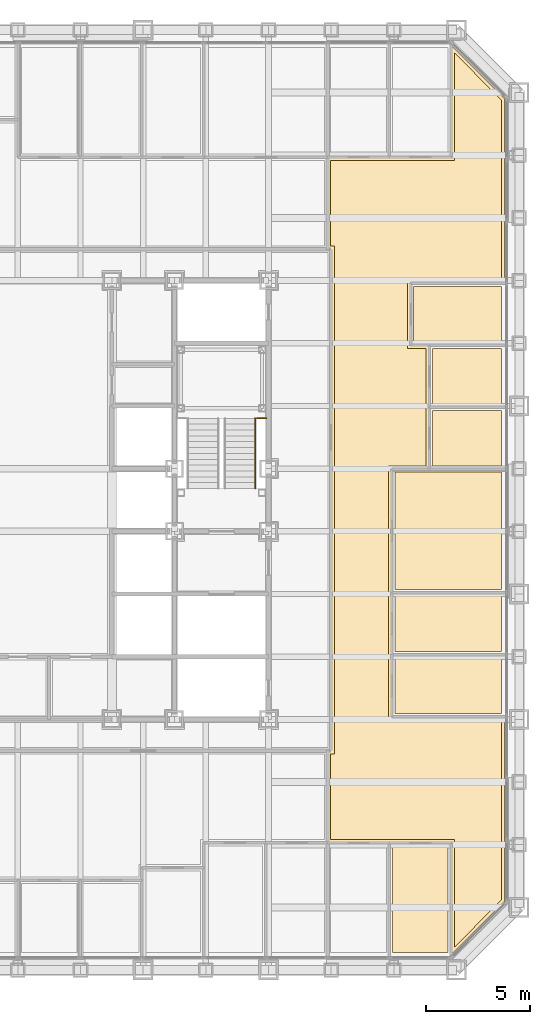
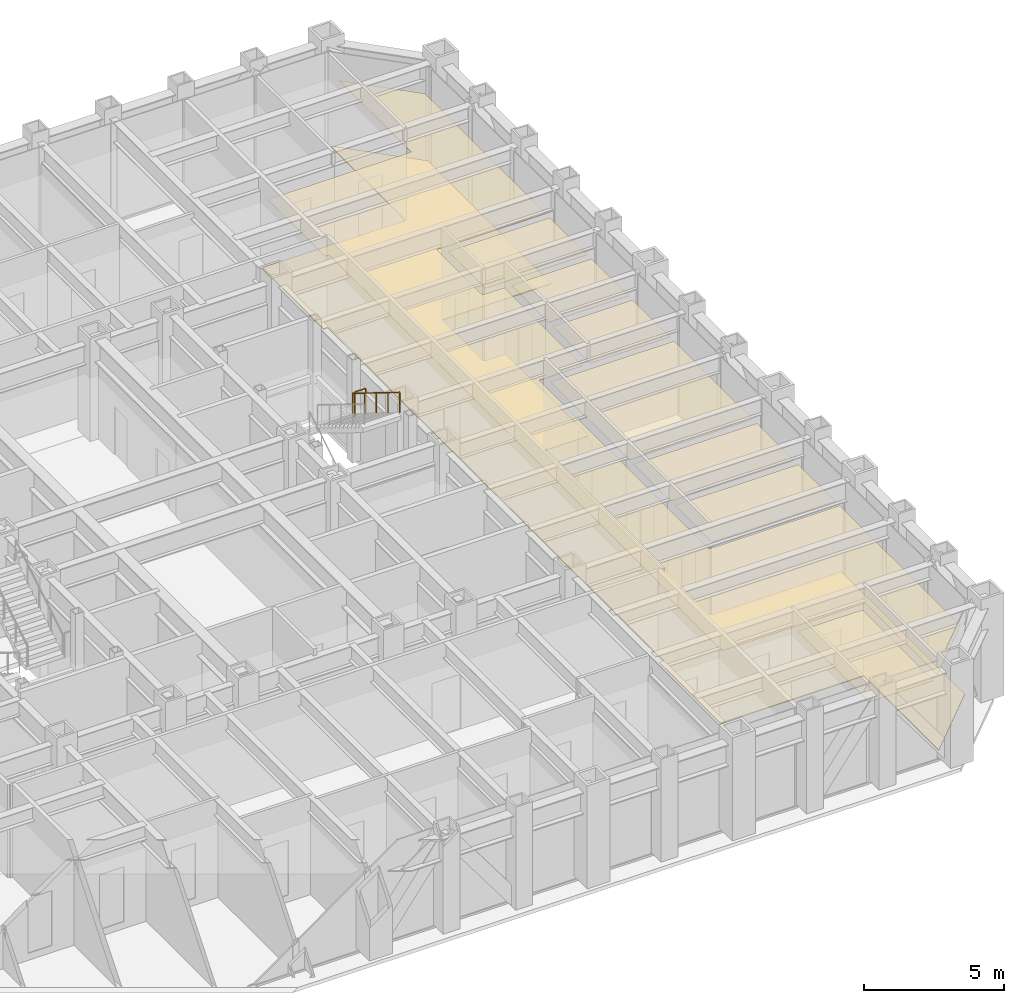
# One storey, part 15 of 16: 9 coverings, 2 railings.
"""IFC4 building model written with IfcOpenShell, lengths in metres."""

from ifc_helpers import new_model, si_unit, direction, frame, origin, origin_2d, place, context, subcontext, project, spatial, polyline, circle, outline, extrude, material, layer, layer_set, type_object, element, save


model = new_model("IFC4")

# Units and contexts
model_context = context("Model", 3, precision=1e-05, world=origin(), true_north=direction((0.0, 1.0)))
body_context = subcontext(model_context, "Body", "Model", "MODEL_VIEW")
ifc_project = project(units=[si_unit("LENGTHUNIT", "METRE"), si_unit("AREAUNIT", "SQUARE_METRE"), si_unit("VOLUMEUNIT", "CUBIC_METRE"), si_unit("PLANEANGLEUNIT", "RADIAN"), si_unit("MASSUNIT", "GRAM", prefix="KILO")], contexts=[model_context])

# Site, building, storey
site_placement = place(None, origin())
site = spatial("IfcSite", under=ifc_project, at=site_placement, CompositionType="ELEMENT")
building_placement = place(site_placement, origin())
building = spatial("IfcBuilding", under=site, at=building_placement, Name="Chuquiago Exchange Tower", CompositionType="ELEMENT")
storey_placement = place(building_placement, frame((0.0, 0.0, 82.800048828125)))
storey = spatial("IfcBuildingStorey", under=building, at=storey_placement, Name="L17", CompositionType="ELEMENT", Elevation=82.800048828125)

# Coverings
ifc_material_1 = material(Name="Mineral fibre tile, 600 x 600, on pale metal grid", Category="mineral fibre")
ifc_layer_1 = layer(ifc_material_1, 0.02001953125)
ifc_layer_set_1 = layer_set([ifc_layer_1], Name="CL1 suspended tile ceiling 20")
covering_type_1 = type_object("IfcCoveringType", Name="CL1 suspended tile ceiling 20", PredefinedType="CEILING", material=ifc_layer_set_1)
covering_1_placement = place(storey_placement, frame((0.0, 0.0, 3.0)))
element("IfcCovering", 1, at=covering_1_placement, inside=storey, type_object=covering_type_1, Name="Ceiling Office", PredefinedType="CEILING", context=body_context, shape_type="SweptSolid", body=[
    extrude(outline(polyline([(38.939697265625, 0.85009765625), (38.939697265625, 5.949951171875), (41.6015625, 5.949951171875), (41.6015625, 0.85009765625), (38.939697265625, 0.85009765625)])), origin(), (0.0, 0.0, 1.0), 0.02001953125),
])
covering_2_placement = place(storey_placement, frame((0.0, 0.0, 3.0)))
element("IfcCovering", 2, at=covering_2_placement, inside=storey, type_object=covering_type_1, Name="Ceiling Office", PredefinedType="CEILING", context=body_context, shape_type="SweptSolid", body=[
    extrude(outline(polyline([(39.050048828125, 12.28369140625), (39.050048828125, 14.945556640625), (44.14990234375, 14.945556640625), (44.14990234375, 12.28369140625), (39.050048828125, 12.28369140625)])), origin(), (0.0, 0.0, 1.0), 0.02001953125),
])
covering_3_placement = place(storey_placement, frame((0.0, 0.0, 3.0)))
element("IfcCovering", 3, at=covering_3_placement, inside=storey, type_object=covering_type_1, Name="Ceiling Office", PredefinedType="CEILING", context=body_context, shape_type="SweptSolid", body=[
    extrude(outline(polyline([(39.050048828125, 15.24560546875), (39.050048828125, 17.907470703125), (44.14990234375, 17.907470703125), (44.14990234375, 15.24560546875), (39.050048828125, 15.24560546875)])), origin(), (0.0, 0.0, 1.0), 0.02001953125),
])
covering_4_placement = place(storey_placement, frame((0.0, 0.0, 3.0)))
element("IfcCovering", 4, at=covering_4_placement, inside=storey, type_object=covering_type_1, Name="Ceiling Meeting room", PredefinedType="CEILING", context=body_context, shape_type="SweptSolid", body=[
    extrude(outline(polyline([(39.050048828125, 18.20751953125), (39.050048828125, 23.830810546875), (44.14990234375, 23.830810546875), (44.14990234375, 18.20751953125), (39.050048828125, 18.20751953125)])), origin(), (0.0, 0.0, 1.0), 0.02001953125),
])
covering_5_placement = place(storey_placement, frame((0.0, 0.0, 3.0)))
element("IfcCovering", 5, at=covering_5_placement, inside=storey, type_object=covering_type_1, Name="Ceiling Focus room", PredefinedType="CEILING", context=body_context, shape_type="SweptSolid", body=[
    extrude(outline(polyline([(40.85009765625, 24.130859375), (40.85009765625, 26.79248046875), (44.14990234375, 26.79248046875), (44.14990234375, 24.130859375), (40.85009765625, 24.130859375)])), origin(), (0.0, 0.0, 1.0), 0.02001953125),
])
covering_6_placement = place(storey_placement, frame((0.0, 0.0, 3.0)))
element("IfcCovering", 6, at=covering_6_placement, inside=storey, type_object=covering_type_1, Name="Ceiling Focus room", PredefinedType="CEILING", context=body_context, shape_type="SweptSolid", body=[
    extrude(outline(polyline([(40.85009765625, 27.092529296875), (40.85009765625, 29.75439453125), (44.14990234375, 29.75439453125), (44.14990234375, 27.092529296875), (40.85009765625, 27.092529296875)])), origin(), (0.0, 0.0, 1.0), 0.02001953125),
])
covering_7_placement = place(storey_placement, frame((0.0, 0.0, 3.0)))
element("IfcCovering", 7, at=covering_7_placement, inside=storey, type_object=covering_type_1, Name="Ceiling Comms room", PredefinedType="CEILING", context=body_context, shape_type="SweptSolid", body=[
    extrude(outline(polyline([(39.949951171875, 30.054443359375), (39.949951171875, 32.71630859375), (44.14990234375, 32.71630859375), (44.14990234375, 30.054443359375), (39.949951171875, 30.054443359375)])), origin(), (0.0, 0.0, 1.0), 0.02001953125),
])
covering_8_placement = place(storey_placement, frame((0.0, 0.0, 3.0)))
element("IfcCovering", 8, at=covering_8_placement, inside=storey, type_object=covering_type_1, Name="Ceiling Trading floor east suite", PredefinedType="CEILING", context=body_context, shape_type="SweptSolid", body=[
    extrude(outline(polyline([(41.901611328125, 38.75), (41.901611328125, 43.896484375), (44.14990234375, 41.64794921875), (44.14990234375, 33.01611328125), (39.64990234375, 33.01611328125), (39.64990234375, 29.75439453125), (40.550048828125, 29.75439453125), (40.550048828125, 24.130859375), (38.75, 24.130859375), (38.75, 11.98388671875), (44.14990234375, 11.98388671875), (44.14990234375, 3.35205078125), (41.901611328125, 1.103515625), (41.901611328125, 6.25), (35.978515625, 6.25), (35.978515625, 10.349853515625), (36.150390625, 10.350341796875), (36.150390625, 34.649658203125), (35.978515625, 34.650146484375), (35.978515625, 38.75), (41.901611328125, 38.75)])), origin(), (0.0, 0.0, 1.0), 0.02001953125),
])

# Railings
ifc_material_2 = material(Name="Pale metal guard with safety glass infill", Category="glass")
railing_type_1 = type_object("IfcRailingType", Name="GR1 guard 1100", PredefinedType="GUARDRAIL", material=ifc_material_2)
railing_1_placement = place(storey_placement, frame((32.445068359375, 26.409912109375, 2.25)))
element("IfcRailing", 9, at=railing_1_placement, inside=storey, type_object=railing_type_1, Name="Guard ST2 L17 landing 2", PredefinedType="GUARDRAIL", context=body_context, shape_type="SweptSolid", body=[
    extrude(circle(Radius=0.02392578125, at=origin_2d()), frame((0.0, 0.0, 1.076171875), z_axis=(1.0, 0.0, 0.0), x_axis=(0.0, 1.0, 0.0)), (0.0, 0.0, 1.0), 0.454833984375),
    extrude(circle(Radius=0.02099609375, at=origin_2d()), origin(), (0.0, 0.0, 1.0), 1.052001953125),
    extrude(circle(Radius=0.02099609375, at=origin_2d()), frame((0.454833984375, 0.0, 0.0)), (0.0, 0.0, 1.0), 1.052001953125),
])
ifc_material_3 = material(Name="Pale metal handrail", Category="steel")
railing_type_2 = type_object("IfcRailingType", Name="HR1 handrail 900", PredefinedType="HANDRAIL", material=ifc_material_3)
railing_2_placement = place(storey_placement, frame((32.364990234375, 26.409912109375, 2.423095703125)))
element("IfcRailing", 10, at=railing_2_placement, inside=storey, type_object=railing_type_2, Name="Handrail ST2 L17 flight 2", PredefinedType="HANDRAIL", context=body_context, shape_type="SweptSolid", body=[
    extrude(circle(Radius=0.02392578125, at=origin_2d()), frame((0.0, 0.0, 0.8759765625), z_axis=(0.0, -0.850606129759, 0.525803396734), x_axis=(1.0, 0.0, 0.0)), (0.0, 0.0, 1.0), 3.949951171875),
    extrude(circle(Radius=0.02099609375, at=origin_2d()), origin(), (0.0, 0.0, 1.0), 0.851806640625),
    extrude(circle(Radius=0.02099609375, at=origin_2d()), frame((0.0, -0.83984375, 0.519287109375)), (0.0, 0.0, 1.0), 0.851806640625),
    extrude(circle(Radius=0.02099609375, at=origin_2d()), frame((0.0, -1.679931640625, 1.03857421875)), (0.0, 0.0, 1.0), 0.851806640625),
    extrude(circle(Radius=0.02099609375, at=origin_2d()), frame((0.0, -2.52001953125, 1.5576171875)), (0.0, 0.0, 1.0), 0.851806640625),
    extrude(circle(Radius=0.02099609375, at=origin_2d()), frame((0.0, -3.35986328125, 2.076904296875)), (0.0, 0.0, 1.0), 0.851806640625),
])

# Covering
ifc_material_4 = material(Name="Steel raised floor panel", Category="steel")
ifc_layer_2 = layer(ifc_material_4, 0.0400390625)
ifc_layer_set_2 = layer_set([ifc_layer_2], Name="RF1 raised access floor 40")
covering_type_2 = type_object("IfcCoveringType", Name="RF1 raised access floor 40", PredefinedType="FLOORING", material=ifc_layer_set_2)
covering_9_placement = place(storey_placement, frame((0.0, 0.0, -0.0400390625)))
element("IfcCovering", 11, at=covering_9_placement, inside=storey, type_object=covering_type_2, Name="Raised access floor Trading floor east suite", PredefinedType="FLOORING", context=body_context, shape_type="SweptSolid", body=[
    extrude(outline(polyline([(35.828369140625, 38.89990234375), (41.75146484375, 38.89990234375), (41.75146484375, 44.258544921875), (44.300048828125, 41.710205078125), (44.300048828125, 32.8662109375), (39.800048828125, 32.8662109375), (39.800048828125, 29.904296875), (40.699951171875, 29.904296875), (40.699951171875, 23.98095703125), (38.89990234375, 23.98095703125), (38.89990234375, 12.1337890625), (44.300048828125, 12.1337890625), (44.300048828125, 3.289794921875), (41.75146484375, 0.741455078125), (41.75146484375, 6.10009765625), (35.828369140625, 6.10009765625), (35.828369140625, 10.49951171875), (36.00048828125, 10.5), (36.00048828125, 34.5), (35.828369140625, 34.50048828125), (35.828369140625, 38.89990234375)])), origin(), (0.0, 0.0, 1.0), 0.0400390625),
])

save(model, "model.ifc")
